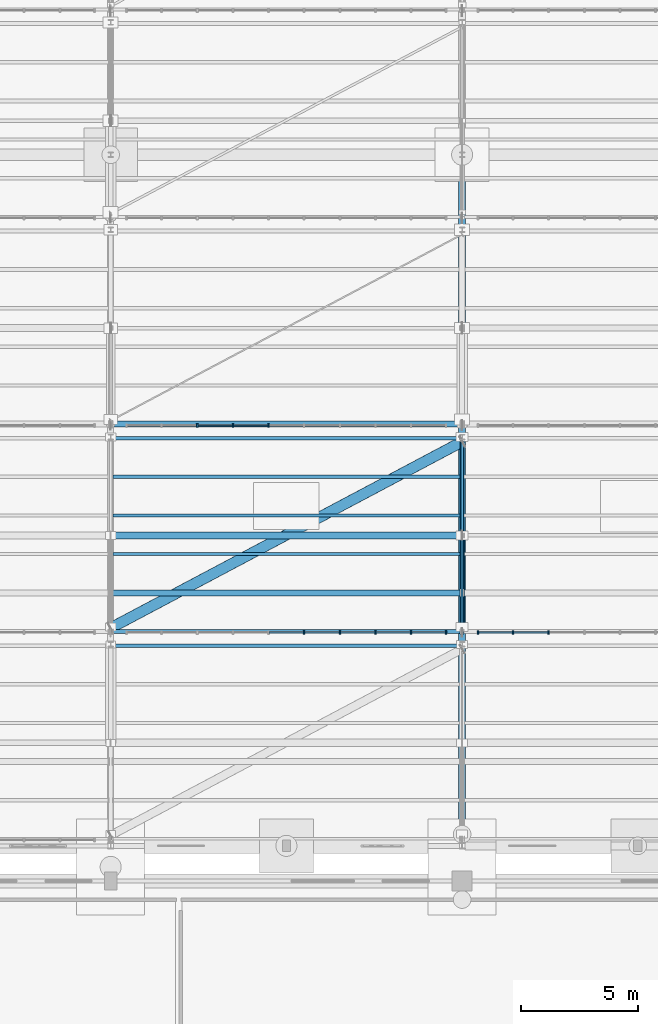
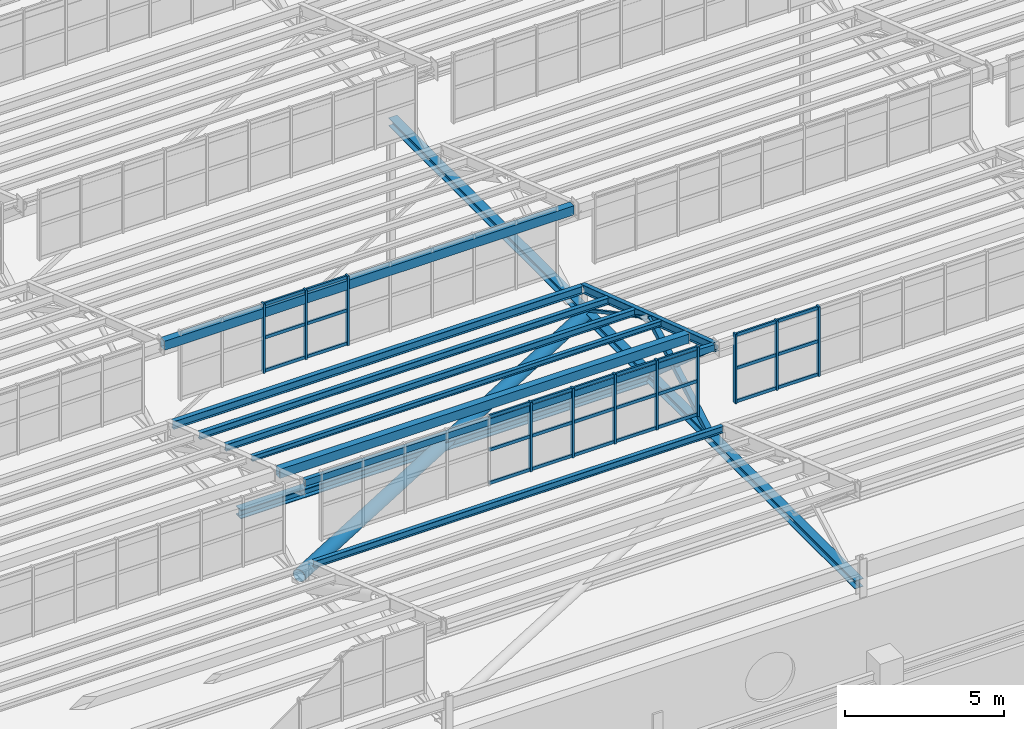
# One storey, part 56 of 285: 43 members, 10 beams, 3 elements without a shape of their own.
"""IFC4 building model written with IfcOpenShell, lengths in metres."""

from ifc_helpers import new_model, si_unit, direction, frame, origin, origin_2d, place, context, subcontext, project, spatial, rectangle, hollow_rectangle, hollow_circle, i_section, extrude, material, material_profile, profile_set, type_object, element, aggregate, save


model = new_model("IFC4")

# Units and contexts
model_context = context("Model", 3, precision=1e-05, world=origin(), true_north=direction((0.0, 1.0)))
body_context = subcontext(model_context, "Body", "Model", "MODEL_VIEW")
ifc_project = project(units=[si_unit("LENGTHUNIT", "METRE"), si_unit("AREAUNIT", "SQUARE_METRE"), si_unit("VOLUMEUNIT", "CUBIC_METRE"), si_unit("PLANEANGLEUNIT", "RADIAN"), si_unit("MASSUNIT", "GRAM", prefix="KILO")], contexts=[model_context])

# Site, building, storey
site_placement = place(None, origin())
site = spatial("IfcSite", under=ifc_project, at=site_placement, CompositionType="ELEMENT")
building_placement = place(site_placement, origin())
building = spatial("IfcBuilding", under=site, at=building_placement, Name="Solanera Park Tramway Depot", CompositionType="ELEMENT")
storey_placement = place(building_placement, origin())
storey = spatial("IfcBuildingStorey", under=building, at=storey_placement, Name="L00", CompositionType="ELEMENT", Elevation=0.0)

# Curtain wall, members
ifc_material_1 = material(Name="Bronze-anodised thermally broken aluminium curtain wall", Category="aluminium")
curtain_wall_type = type_object("IfcCurtainWallType", Name="Sawtooth Clerestory Monitor Curtain Wall", PredefinedType="NOTDEFINED", material=ifc_material_1)
curtain_wall_1_placement = place(storey_placement, origin())
curtain_wall_1 = element("IfcCurtainWall", 1, at=curtain_wall_1_placement, inside=storey, type_object=curtain_wall_type, Name="L00 Sawtooth Clerestory Monitor Curtain Wall #006", PredefinedType="NOTDEFINED")
ifc_material_2 = material(Name="Bronze-anodised structural aluminium 6063-T6", Category="aluminium")
ifc_material_profile_1 = material_profile(ifc_material_2, rectangle(XDim=0.06494140625, YDim=0.14990234375, at=origin_2d()), Name="Curtain Wall Mullion 65x150")
ifc_profile_set_1 = profile_set([ifc_material_profile_1], Name="Bronze-anodised structural aluminium 6063-T6")
member_type_1 = type_object("IfcMemberType", Name="Curtain Wall Mullion 65x150", PredefinedType="MULLION", material=ifc_profile_set_1)
member_1_placement = place(storey_placement, frame((53.260986328125, 64.60009765625, 7.75), z_axis=(0.0, 0.0, 1.0), x_axis=(1.0, 0.0, 0.0)))
member_1 = element("IfcMember", 2, at=member_1_placement, type_object=member_type_1, Name="CW-L00-006 Mullion 6", PredefinedType="MULLION", context=body_context, shape_type="SweptSolid", body=[
    extrude(rectangle(XDim=0.06494140625, YDim=0.14990234375, at=origin_2d()), origin(), (0.0, 0.0, 1.0), 2.6611328125),
])
member_2_placement = place(storey_placement, frame((54.783203125, 64.60009765625, 7.75), z_axis=(0.0, 0.0, 1.0), x_axis=(1.0, 0.0, 0.0)))
member_2 = element("IfcMember", 3, at=member_2_placement, type_object=member_type_1, Name="CW-L00-006 Mullion 7", PredefinedType="MULLION", context=body_context, shape_type="SweptSolid", body=[
    extrude(rectangle(XDim=0.06494140625, YDim=0.14990234375, at=origin_2d()), origin(), (0.0, 0.0, 1.0), 2.6611328125),
])
member_3_placement = place(storey_placement, frame((56.3056640625, 64.60009765625, 7.75), z_axis=(0.0, 0.0, 1.0), x_axis=(1.0, 0.0, 0.0)))
member_3 = element("IfcMember", 4, at=member_3_placement, type_object=member_type_1, Name="CW-L00-006 Mullion 8", PredefinedType="MULLION", context=body_context, shape_type="SweptSolid", body=[
    extrude(rectangle(XDim=0.06494140625, YDim=0.14990234375, at=origin_2d()), origin(), (0.0, 0.0, 1.0), 2.6611328125),
])
member_4_placement = place(storey_placement, frame((57.827880859375, 64.60009765625, 7.75), z_axis=(0.0, 0.0, 1.0), x_axis=(1.0, 0.0, 0.0)))
member_4 = element("IfcMember", 5, at=member_4_placement, type_object=member_type_1, Name="CW-L00-006 Mullion 9", PredefinedType="MULLION", context=body_context, shape_type="SweptSolid", body=[
    extrude(rectangle(XDim=0.06494140625, YDim=0.14990234375, at=origin_2d()), origin(), (0.0, 0.0, 1.0), 2.6611328125),
])
member_5_placement = place(storey_placement, frame((59.3173828125, 64.60009765625, 7.75), z_axis=(0.0, 0.0, 1.0), x_axis=(1.0, 0.0, 0.0)))
member_5 = element("IfcMember", 6, at=member_5_placement, type_object=member_type_1, Name="CW-L00-006 Mullion 10", PredefinedType="MULLION", context=body_context, shape_type="SweptSolid", body=[
    extrude(rectangle(XDim=0.06494140625, YDim=0.14990234375, at=origin_2d()), origin(), (0.0, 0.0, 1.0), 2.6611328125),
])

curtain_wall_2_placement = place(storey_placement, origin())
curtain_wall_2 = element("IfcCurtainWall", 7, at=curtain_wall_2_placement, inside=storey, type_object=curtain_wall_type, Name="L00 Sawtooth Clerestory Monitor Curtain Wall #007", PredefinedType="NOTDEFINED")
member_6_placement = place(storey_placement, frame((60.6826171875, 64.60009765625, 7.75), z_axis=(0.0, 0.0, 1.0), x_axis=(1.0, 0.0, 0.0)))
member_6 = element("IfcMember", 8, at=member_6_placement, type_object=member_type_1, Name="CW-L00-007 Mullion 1", PredefinedType="MULLION", context=body_context, shape_type="SweptSolid", body=[
    extrude(rectangle(XDim=0.06494140625, YDim=0.14990234375, at=origin_2d()), origin(), (0.0, 0.0, 1.0), 2.6611328125),
])
member_7_placement = place(storey_placement, frame((62.172119140625, 64.60009765625, 7.75), z_axis=(0.0, 0.0, 1.0), x_axis=(1.0, 0.0, 0.0)))
member_7 = element("IfcMember", 9, at=member_7_placement, type_object=member_type_1, Name="CW-L00-007 Mullion 2", PredefinedType="MULLION", context=body_context, shape_type="SweptSolid", body=[
    extrude(rectangle(XDim=0.06494140625, YDim=0.14990234375, at=origin_2d()), origin(), (0.0, 0.0, 1.0), 2.6611328125),
])
member_8_placement = place(storey_placement, frame((63.6943359375, 64.60009765625, 7.75), z_axis=(0.0, 0.0, 1.0), x_axis=(1.0, 0.0, 0.0)))
member_8 = element("IfcMember", 10, at=member_8_placement, type_object=member_type_1, Name="CW-L00-007 Mullion 3", PredefinedType="MULLION", context=body_context, shape_type="SweptSolid", body=[
    extrude(rectangle(XDim=0.06494140625, YDim=0.14990234375, at=origin_2d()), origin(), (0.0, 0.0, 1.0), 2.6611328125),
])

curtain_wall_3_placement = place(storey_placement, origin())
curtain_wall_3 = element("IfcCurtainWall", 11, at=curtain_wall_3_placement, inside=storey, type_object=curtain_wall_type, Name="L00 Sawtooth Clerestory Monitor Curtain Wall #014", PredefinedType="NOTDEFINED")
member_9_placement = place(storey_placement, frame((48.6943359375, 73.449951171875, 7.75), z_axis=(0.0, 0.0, 1.0), x_axis=(1.0, 0.0, 0.0)))
member_9 = element("IfcMember", 12, at=member_9_placement, type_object=member_type_1, Name="CW-L00-014 Mullion 3", PredefinedType="MULLION", context=body_context, shape_type="SweptSolid", body=[
    extrude(rectangle(XDim=0.06494140625, YDim=0.14990234375, at=origin_2d()), origin(), (0.0, 0.0, 1.0), 2.6611328125),
])
member_10_placement = place(storey_placement, frame((50.216796875, 73.449951171875, 7.75), z_axis=(0.0, 0.0, 1.0), x_axis=(1.0, 0.0, 0.0)))
member_10 = element("IfcMember", 13, at=member_10_placement, type_object=member_type_1, Name="CW-L00-014 Mullion 4", PredefinedType="MULLION", context=body_context, shape_type="SweptSolid", body=[
    extrude(rectangle(XDim=0.06494140625, YDim=0.14990234375, at=origin_2d()), origin(), (0.0, 0.0, 1.0), 2.6611328125),
])
member_11_placement = place(storey_placement, frame((51.739013671875, 73.449951171875, 7.75), z_axis=(0.0, 0.0, 1.0), x_axis=(1.0, 0.0, 0.0)))
member_11 = element("IfcMember", 14, at=member_11_placement, type_object=member_type_1, Name="CW-L00-014 Mullion 5", PredefinedType="MULLION", context=body_context, shape_type="SweptSolid", body=[
    extrude(rectangle(XDim=0.06494140625, YDim=0.14990234375, at=origin_2d()), origin(), (0.0, 0.0, 1.0), 2.6611328125),
])

# Member
ifc_material_3 = material(Name="Bronze-anodised structural aluminium 6063-T6", Category="aluminium")
ifc_material_profile_2 = material_profile(ifc_material_3, rectangle(XDim=0.06494140625, YDim=0.1201171875, at=origin_2d()), Name="Curtain Wall Transom 65x120")
ifc_profile_set_2 = profile_set([ifc_material_profile_2], Name="Bronze-anodised structural aluminium 6063-T6")
member_type_2 = type_object("IfcMemberType", Name="Curtain Wall Transom 65x120", PredefinedType="USERDEFINED", material=ifc_profile_set_2)
member_12_placement = place(storey_placement, frame((51.766845703125, 64.60009765625, 7.81005859375), z_axis=(1.0, 0.0, 0.0), x_axis=(0.0, 1.0, 0.0)))
member_12 = element("IfcMember", 15, at=member_12_placement, type_object=member_type_2, Name="CW-L00-006 Transom R1.C5", ObjectType="TRANSOM", PredefinedType="USERDEFINED", context=body_context, shape_type="SweptSolid", body=[
    extrude(rectangle(XDim=0.06494140625, YDim=0.1201171875, at=origin_2d()), origin(), (0.0, 0.0, 1.0), 1.46630859375),
])

member_13_placement = place(storey_placement, frame((53.2890625, 64.60009765625, 7.81005859375), z_axis=(1.0, 0.0, 0.0), x_axis=(0.0, 1.0, 0.0)))
member_13 = element("IfcMember", 16, at=member_13_placement, type_object=member_type_2, Name="CW-L00-006 Transom R1.C6", ObjectType="TRANSOM", PredefinedType="USERDEFINED", context=body_context, shape_type="SweptSolid", body=[
    extrude(rectangle(XDim=0.06494140625, YDim=0.1201171875, at=origin_2d()), origin(), (0.0, 0.0, 1.0), 1.46630859375),
])

member_14_placement = place(storey_placement, frame((54.811279296875, 64.60009765625, 7.81005859375), z_axis=(1.0, 0.0, 0.0), x_axis=(0.0, 1.0, 0.0)))
member_14 = element("IfcMember", 17, at=member_14_placement, type_object=member_type_2, Name="CW-L00-006 Transom R1.C7", ObjectType="TRANSOM", PredefinedType="USERDEFINED", context=body_context, shape_type="SweptSolid", body=[
    extrude(rectangle(XDim=0.06494140625, YDim=0.1201171875, at=origin_2d()), origin(), (0.0, 0.0, 1.0), 1.46630859375),
])

member_15_placement = place(storey_placement, frame((56.33349609375, 64.60009765625, 7.81005859375), z_axis=(1.0, 0.0, 0.0), x_axis=(0.0, 1.0, 0.0)))
member_15 = element("IfcMember", 18, at=member_15_placement, type_object=member_type_2, Name="CW-L00-006 Transom R1.C8", ObjectType="TRANSOM", PredefinedType="USERDEFINED", context=body_context, shape_type="SweptSolid", body=[
    extrude(rectangle(XDim=0.06494140625, YDim=0.1201171875, at=origin_2d()), origin(), (0.0, 0.0, 1.0), 1.46630859375),
])

member_16_placement = place(storey_placement, frame((57.855712890625, 64.60009765625, 7.81005859375), z_axis=(1.0, 0.0, 0.0), x_axis=(0.0, 1.0, 0.0)))
member_16 = element("IfcMember", 19, at=member_16_placement, type_object=member_type_2, Name="CW-L00-006 Transom R1.C9", ObjectType="TRANSOM", PredefinedType="USERDEFINED", context=body_context, shape_type="SweptSolid", body=[
    extrude(rectangle(XDim=0.06494140625, YDim=0.1201171875, at=origin_2d()), origin(), (0.0, 0.0, 1.0), 1.433837890625),
])

member_17_placement = place(storey_placement, frame((51.766845703125, 64.60009765625, 9.08056640625), z_axis=(1.0, 0.0, 0.0), x_axis=(0.0, 1.0, 0.0)))
member_17 = element("IfcMember", 20, at=member_17_placement, type_object=member_type_2, Name="CW-L00-006 Transom R2.C5", ObjectType="TRANSOM", PredefinedType="USERDEFINED", context=body_context, shape_type="SweptSolid", body=[
    extrude(rectangle(XDim=0.06494140625, YDim=0.1201171875, at=origin_2d()), origin(), (0.0, 0.0, 1.0), 1.46630859375),
])

member_18_placement = place(storey_placement, frame((53.2890625, 64.60009765625, 9.08056640625), z_axis=(1.0, 0.0, 0.0), x_axis=(0.0, 1.0, 0.0)))
member_18 = element("IfcMember", 21, at=member_18_placement, type_object=member_type_2, Name="CW-L00-006 Transom R2.C6", ObjectType="TRANSOM", PredefinedType="USERDEFINED", context=body_context, shape_type="SweptSolid", body=[
    extrude(rectangle(XDim=0.06494140625, YDim=0.1201171875, at=origin_2d()), origin(), (0.0, 0.0, 1.0), 1.46630859375),
])

member_19_placement = place(storey_placement, frame((54.811279296875, 64.60009765625, 9.08056640625), z_axis=(1.0, 0.0, 0.0), x_axis=(0.0, 1.0, 0.0)))
member_19 = element("IfcMember", 22, at=member_19_placement, type_object=member_type_2, Name="CW-L00-006 Transom R2.C7", ObjectType="TRANSOM", PredefinedType="USERDEFINED", context=body_context, shape_type="SweptSolid", body=[
    extrude(rectangle(XDim=0.06494140625, YDim=0.1201171875, at=origin_2d()), origin(), (0.0, 0.0, 1.0), 1.46630859375),
])

member_20_placement = place(storey_placement, frame((56.33349609375, 64.60009765625, 9.08056640625), z_axis=(1.0, 0.0, 0.0), x_axis=(0.0, 1.0, 0.0)))
member_20 = element("IfcMember", 23, at=member_20_placement, type_object=member_type_2, Name="CW-L00-006 Transom R2.C8", ObjectType="TRANSOM", PredefinedType="USERDEFINED", context=body_context, shape_type="SweptSolid", body=[
    extrude(rectangle(XDim=0.06494140625, YDim=0.1201171875, at=origin_2d()), origin(), (0.0, 0.0, 1.0), 1.46630859375),
])

member_21_placement = place(storey_placement, frame((57.855712890625, 64.60009765625, 9.08056640625), z_axis=(1.0, 0.0, 0.0), x_axis=(0.0, 1.0, 0.0)))
member_21 = element("IfcMember", 24, at=member_21_placement, type_object=member_type_2, Name="CW-L00-006 Transom R2.C9", ObjectType="TRANSOM", PredefinedType="USERDEFINED", context=body_context, shape_type="SweptSolid", body=[
    extrude(rectangle(XDim=0.06494140625, YDim=0.1201171875, at=origin_2d()), origin(), (0.0, 0.0, 1.0), 1.433837890625),
])

member_22_placement = place(storey_placement, frame((51.766845703125, 64.60009765625, 10.351318359375), z_axis=(1.0, 0.0, 0.0), x_axis=(0.0, 1.0, 0.0)))
member_22 = element("IfcMember", 25, at=member_22_placement, type_object=member_type_2, Name="CW-L00-006 Transom R3.C5", ObjectType="TRANSOM", PredefinedType="USERDEFINED", context=body_context, shape_type="SweptSolid", body=[
    extrude(rectangle(XDim=0.06494140625, YDim=0.1201171875, at=origin_2d()), origin(), (0.0, 0.0, 1.0), 1.46630859375),
])

member_23_placement = place(storey_placement, frame((53.2890625, 64.60009765625, 10.351318359375), z_axis=(1.0, 0.0, 0.0), x_axis=(0.0, 1.0, 0.0)))
member_23 = element("IfcMember", 26, at=member_23_placement, type_object=member_type_2, Name="CW-L00-006 Transom R3.C6", ObjectType="TRANSOM", PredefinedType="USERDEFINED", context=body_context, shape_type="SweptSolid", body=[
    extrude(rectangle(XDim=0.06494140625, YDim=0.1201171875, at=origin_2d()), origin(), (0.0, 0.0, 1.0), 1.46630859375),
])

member_24_placement = place(storey_placement, frame((54.811279296875, 64.60009765625, 10.351318359375), z_axis=(1.0, 0.0, 0.0), x_axis=(0.0, 1.0, 0.0)))
member_24 = element("IfcMember", 27, at=member_24_placement, type_object=member_type_2, Name="CW-L00-006 Transom R3.C7", ObjectType="TRANSOM", PredefinedType="USERDEFINED", context=body_context, shape_type="SweptSolid", body=[
    extrude(rectangle(XDim=0.06494140625, YDim=0.1201171875, at=origin_2d()), origin(), (0.0, 0.0, 1.0), 1.46630859375),
])

member_25_placement = place(storey_placement, frame((56.33349609375, 64.60009765625, 10.351318359375), z_axis=(1.0, 0.0, 0.0), x_axis=(0.0, 1.0, 0.0)))
member_25 = element("IfcMember", 28, at=member_25_placement, type_object=member_type_2, Name="CW-L00-006 Transom R3.C8", ObjectType="TRANSOM", PredefinedType="USERDEFINED", context=body_context, shape_type="SweptSolid", body=[
    extrude(rectangle(XDim=0.06494140625, YDim=0.1201171875, at=origin_2d()), origin(), (0.0, 0.0, 1.0), 1.46630859375),
])

member_26_placement = place(storey_placement, frame((57.855712890625, 64.60009765625, 10.351318359375), z_axis=(1.0, 0.0, 0.0), x_axis=(0.0, 1.0, 0.0)))
member_26 = element("IfcMember", 29, at=member_26_placement, type_object=member_type_2, Name="CW-L00-006 Transom R3.C9", ObjectType="TRANSOM", PredefinedType="USERDEFINED", context=body_context, shape_type="SweptSolid", body=[
    extrude(rectangle(XDim=0.06494140625, YDim=0.1201171875, at=origin_2d()), origin(), (0.0, 0.0, 1.0), 1.433837890625),
])

aggregate(curtain_wall_1, [member_1, member_2, member_3, member_4, member_5, member_12, member_13, member_14, member_15, member_16, member_17, member_18, member_19, member_20, member_21, member_22, member_23, member_24, member_25, member_26])

member_27_placement = place(storey_placement, frame((60.71044921875, 64.60009765625, 7.81005859375), z_axis=(1.0, 0.0, 0.0), x_axis=(0.0, 1.0, 0.0)))
member_27 = element("IfcMember", 30, at=member_27_placement, type_object=member_type_2, Name="CW-L00-007 Transom R1.C1", ObjectType="TRANSOM", PredefinedType="USERDEFINED", context=body_context, shape_type="SweptSolid", body=[
    extrude(rectangle(XDim=0.06494140625, YDim=0.1201171875, at=origin_2d()), origin(), (0.0, 0.0, 1.0), 1.433837890625),
])

member_28_placement = place(storey_placement, frame((62.2001953125, 64.60009765625, 7.81005859375), z_axis=(1.0, 0.0, 0.0), x_axis=(0.0, 1.0, 0.0)))
member_28 = element("IfcMember", 31, at=member_28_placement, type_object=member_type_2, Name="CW-L00-007 Transom R1.C2", ObjectType="TRANSOM", PredefinedType="USERDEFINED", context=body_context, shape_type="SweptSolid", body=[
    extrude(rectangle(XDim=0.06494140625, YDim=0.1201171875, at=origin_2d()), origin(), (0.0, 0.0, 1.0), 1.46630859375),
])

member_29_placement = place(storey_placement, frame((60.71044921875, 64.60009765625, 9.08056640625), z_axis=(1.0, 0.0, 0.0), x_axis=(0.0, 1.0, 0.0)))
member_29 = element("IfcMember", 32, at=member_29_placement, type_object=member_type_2, Name="CW-L00-007 Transom R2.C1", ObjectType="TRANSOM", PredefinedType="USERDEFINED", context=body_context, shape_type="SweptSolid", body=[
    extrude(rectangle(XDim=0.06494140625, YDim=0.1201171875, at=origin_2d()), origin(), (0.0, 0.0, 1.0), 1.433837890625),
])

member_30_placement = place(storey_placement, frame((62.2001953125, 64.60009765625, 9.08056640625), z_axis=(1.0, 0.0, 0.0), x_axis=(0.0, 1.0, 0.0)))
member_30 = element("IfcMember", 33, at=member_30_placement, type_object=member_type_2, Name="CW-L00-007 Transom R2.C2", ObjectType="TRANSOM", PredefinedType="USERDEFINED", context=body_context, shape_type="SweptSolid", body=[
    extrude(rectangle(XDim=0.06494140625, YDim=0.1201171875, at=origin_2d()), origin(), (0.0, 0.0, 1.0), 1.46630859375),
])

member_31_placement = place(storey_placement, frame((60.71044921875, 64.60009765625, 10.351318359375), z_axis=(1.0, 0.0, 0.0), x_axis=(0.0, 1.0, 0.0)))
member_31 = element("IfcMember", 34, at=member_31_placement, type_object=member_type_2, Name="CW-L00-007 Transom R3.C1", ObjectType="TRANSOM", PredefinedType="USERDEFINED", context=body_context, shape_type="SweptSolid", body=[
    extrude(rectangle(XDim=0.06494140625, YDim=0.1201171875, at=origin_2d()), origin(), (0.0, 0.0, 1.0), 1.433837890625),
])

member_32_placement = place(storey_placement, frame((62.2001953125, 64.60009765625, 10.351318359375), z_axis=(1.0, 0.0, 0.0), x_axis=(0.0, 1.0, 0.0)))
member_32 = element("IfcMember", 35, at=member_32_placement, type_object=member_type_2, Name="CW-L00-007 Transom R3.C2", ObjectType="TRANSOM", PredefinedType="USERDEFINED", context=body_context, shape_type="SweptSolid", body=[
    extrude(rectangle(XDim=0.06494140625, YDim=0.1201171875, at=origin_2d()), origin(), (0.0, 0.0, 1.0), 1.46630859375),
])

aggregate(curtain_wall_2, [member_6, member_7, member_8, member_27, member_28, member_29, member_30, member_31, member_32])

member_33_placement = place(storey_placement, frame((48.722412109375, 73.449951171875, 7.81005859375), z_axis=(1.0, 0.0, 0.0), x_axis=(0.0, 1.0, 0.0)))
member_33 = element("IfcMember", 36, at=member_33_placement, type_object=member_type_2, Name="CW-L00-014 Transom R1.C3", ObjectType="TRANSOM", PredefinedType="USERDEFINED", context=body_context, shape_type="SweptSolid", body=[
    extrude(rectangle(XDim=0.06494140625, YDim=0.1201171875, at=origin_2d()), origin(), (0.0, 0.0, 1.0), 1.46630859375),
])

member_34_placement = place(storey_placement, frame((50.24462890625, 73.449951171875, 7.81005859375), z_axis=(1.0, 0.0, 0.0), x_axis=(0.0, 1.0, 0.0)))
member_34 = element("IfcMember", 37, at=member_34_placement, type_object=member_type_2, Name="CW-L00-014 Transom R1.C4", ObjectType="TRANSOM", PredefinedType="USERDEFINED", context=body_context, shape_type="SweptSolid", body=[
    extrude(rectangle(XDim=0.06494140625, YDim=0.1201171875, at=origin_2d()), origin(), (0.0, 0.0, 1.0), 1.46630859375),
])

member_35_placement = place(storey_placement, frame((48.722412109375, 73.449951171875, 9.08056640625), z_axis=(1.0, 0.0, 0.0), x_axis=(0.0, 1.0, 0.0)))
member_35 = element("IfcMember", 38, at=member_35_placement, type_object=member_type_2, Name="CW-L00-014 Transom R2.C3", ObjectType="TRANSOM", PredefinedType="USERDEFINED", context=body_context, shape_type="SweptSolid", body=[
    extrude(rectangle(XDim=0.06494140625, YDim=0.1201171875, at=origin_2d()), origin(), (0.0, 0.0, 1.0), 1.46630859375),
])

member_36_placement = place(storey_placement, frame((50.24462890625, 73.449951171875, 9.08056640625), z_axis=(1.0, 0.0, 0.0), x_axis=(0.0, 1.0, 0.0)))
member_36 = element("IfcMember", 39, at=member_36_placement, type_object=member_type_2, Name="CW-L00-014 Transom R2.C4", ObjectType="TRANSOM", PredefinedType="USERDEFINED", context=body_context, shape_type="SweptSolid", body=[
    extrude(rectangle(XDim=0.06494140625, YDim=0.1201171875, at=origin_2d()), origin(), (0.0, 0.0, 1.0), 1.46630859375),
])

member_37_placement = place(storey_placement, frame((48.722412109375, 73.449951171875, 10.351318359375), z_axis=(1.0, 0.0, 0.0), x_axis=(0.0, 1.0, 0.0)))
member_37 = element("IfcMember", 40, at=member_37_placement, type_object=member_type_2, Name="CW-L00-014 Transom R3.C3", ObjectType="TRANSOM", PredefinedType="USERDEFINED", context=body_context, shape_type="SweptSolid", body=[
    extrude(rectangle(XDim=0.06494140625, YDim=0.1201171875, at=origin_2d()), origin(), (0.0, 0.0, 1.0), 1.46630859375),
])

member_38_placement = place(storey_placement, frame((50.24462890625, 73.449951171875, 10.351318359375), z_axis=(1.0, 0.0, 0.0), x_axis=(0.0, 1.0, 0.0)))
member_38 = element("IfcMember", 41, at=member_38_placement, type_object=member_type_2, Name="CW-L00-014 Transom R3.C4", ObjectType="TRANSOM", PredefinedType="USERDEFINED", context=body_context, shape_type="SweptSolid", body=[
    extrude(rectangle(XDim=0.06494140625, YDim=0.1201171875, at=origin_2d()), origin(), (0.0, 0.0, 1.0), 1.46630859375),
])

aggregate(curtain_wall_3, [member_9, member_10, member_11, member_33, member_34, member_35, member_36, member_37, member_38])

# Members
ifc_material_4 = material(Name="Steel AS/NZS 1163 Grade C350L0", Category="steel")
ifc_material_profile_3 = material_profile(ifc_material_4, hollow_rectangle(XDim=0.199951171875, YDim=0.199951171875, WallThickness=0.008056640625, at=origin_2d()), Name="200x200x8.0 SHS")
ifc_profile_set_3 = profile_set([ifc_material_profile_3], Name="Steel AS/NZS 1163 Grade C350L0")
member_type_3 = type_object("IfcMemberType", Name="Roof Gantry Compression Strut 200x200x8.0 SHS", PredefinedType="STRUT", material=ifc_profile_set_3)
member_39_placement = place(storey_placement, frame((60.0, 64.85009765625, 6.5), z_axis=(0.0, 0.866884023838, 0.498509868723), x_axis=(-1.0, 0.0, 0.0)))
element("IfcMember", 42, at=member_39_placement, inside=storey, type_object=member_type_3, Name="Sawtooth ROOF TRUSS Strut 200x200x8.0 SHS #0057", PredefinedType="STRUT", context=body_context, shape_type="SweptSolid", body=[
    extrude(hollow_rectangle(XDim=0.199951171875, YDim=0.199951171875, WallThickness=0.008056640625, at=origin_2d()), origin(), (0.0, 0.0, 1.0), 4.498779296875),
])
ifc_material_5 = material(Name="Steel AS/NZS 3679.1 Grade 350", Category="steel")
ifc_material_profile_4 = material_profile(ifc_material_5, i_section(OverallWidth=0.310546875, OverallDepth=0.3271484375, WebThickness=0.015625, FlangeThickness=0.02490234375, at=origin_2d()), Name="310UC158")
ifc_profile_set_4 = profile_set([ifc_material_profile_4], Name="Steel AS/NZS 3679.1 Grade 350")
member_type_4 = type_object("IfcMemberType", Name="Secondary Truss Chord 310UC158", PredefinedType="CHORD", material=ifc_profile_set_4)
member_40_placement = place(storey_placement, frame((45.087890625, 68.75, 6.5), z_axis=(1.0, 0.0, 0.0), x_axis=(0.0, 1.0, 0.0)))
element("IfcMember", 43, at=member_40_placement, inside=storey, type_object=member_type_4, Name="Sawtooth Longitudinal Tie Chord 310UC158 #0076", PredefinedType="CHORD", context=body_context, shape_type="SweptSolid", body=[
    extrude(i_section(OverallWidth=0.310546875, OverallDepth=0.3271484375, WebThickness=0.015625, FlangeThickness=0.02490234375, at=origin_2d()), origin(), (0.0, 0.0, 1.0), 14.82421875),
])

# Beams
ifc_material_6 = material(Name="Steel AS/NZS 3679.1 Grade 350", Category="steel")
ifc_material_profile_5 = material_profile(ifc_material_6, i_section(OverallWidth=0.166015625, OverallDepth=0.30712890625, WebThickness=0.006591796875, FlangeThickness=0.01171875, at=origin_2d()), Name="310UB46.2")
ifc_profile_set_5 = profile_set([ifc_material_profile_5], Name="Steel AS/NZS 3679.1 Grade 350")
beam_type_1 = type_object("IfcBeamType", Name="Steel Beam 310UB46.2", PredefinedType="BEAM", material=ifc_profile_set_5)
beam_1_placement = place(storey_placement, frame((60.0, 64.60009765625, 10.131103515625), z_axis=(0.0, 0.948327781215, -0.317292324799), x_axis=(-1.0, 0.0, 0.0)))
element("IfcBeam", 44, at=beam_1_placement, inside=storey, type_object=beam_type_1, Name="Sawtooth ROOF TRUSS Top Rafter 310UB46.2 B02-T4", PredefinedType="BEAM", context=body_context, shape_type="SweptSolid", body=[
    extrude(i_section(OverallWidth=0.166015625, OverallDepth=0.30712890625, WebThickness=0.006591796875, FlangeThickness=0.01171875, at=origin_2d()), origin(), (0.0, 0.0, 1.0), 8.804931640625),
])
ifc_material_7 = material(Name="Steel AS/NZS 3679.1 Grade 350", Category="steel")
ifc_material_profile_6 = material_profile(ifc_material_7, i_section(OverallWidth=0.306884765625, OverallDepth=0.314697265625, WebThickness=0.011962890625, FlangeThickness=0.018798828125, at=origin_2d()), Name="310UC118")
ifc_profile_set_6 = profile_set([ifc_material_profile_6], Name="Steel AS/NZS 3679.1 Grade 350")
beam_type_2 = type_object("IfcBeamType", Name="Steel Beam 310UC118", PredefinedType="BEAM", material=ifc_profile_set_6)
beam_2_placement = place(storey_placement, frame((60.0, 55.6279296875, 6.5), z_axis=(0.0, 1.0, 0.0), x_axis=(-1.0, 0.0, 0.0)))
element("IfcBeam", 45, at=beam_2_placement, inside=storey, type_object=beam_type_2, Name="Sawtooth ROOF TRUSS Bottom Chord 310UC118 #0379", PredefinedType="BEAM", context=body_context, shape_type="SweptSolid", body=[
    extrude(i_section(OverallWidth=0.306884765625, OverallDepth=0.314697265625, WebThickness=0.011962890625, FlangeThickness=0.018798828125, at=origin_2d()), origin(), (0.0, 0.0, 1.0), 29.26953125),
])
ifc_material_8 = material(Name="Steel AS/NZS 3679.1 Grade 350", Category="steel")
ifc_material_profile_7 = material_profile(ifc_material_8, i_section(OverallWidth=0.13330078125, OverallDepth=0.203125, WebThickness=0.005859375, FlangeThickness=0.0078125, at=origin_2d()), Name="200UB25.4")
ifc_profile_set_7 = profile_set([ifc_material_profile_7], Name="Steel AS/NZS 3679.1 Grade 350")
beam_type_3 = type_object("IfcBeamType", Name="Steel Joist Purlin 200UB25.4", PredefinedType="JOIST", material=ifc_profile_set_7)
beam_3_placement = place(storey_placement, frame((45.0966796875, 67.949951171875, 9.06201171875), z_axis=(1.0, 0.0, 0.0), x_axis=(0.0, 1.0, 0.0)))
element("IfcBeam", 46, at=beam_3_placement, inside=storey, type_object=beam_type_3, Name="Sawtooth Roof Purlin 200UB25.4 B02.3", PredefinedType="JOIST", context=body_context, shape_type="SweptSolid", body=[
    extrude(i_section(OverallWidth=0.13330078125, OverallDepth=0.203125, WebThickness=0.005859375, FlangeThickness=0.0078125, at=origin_2d()), origin(), (0.0, 0.0, 1.0), 14.828369140625),
])
ifc_material_9 = material(Name="Steel AS/NZS 3679.1 Grade 350", Category="steel")
ifc_material_profile_8 = material_profile(ifc_material_9, i_section(OverallWidth=0.14599609375, OverallDepth=0.251708984375, WebThickness=0.006103515625, FlangeThickness=0.008544921875, at=origin_2d()), Name="250UB31.4")
ifc_profile_set_8 = profile_set([ifc_material_profile_8], Name="Steel AS/NZS 3679.1 Grade 350")
beam_type_4 = type_object("IfcBeamType", Name="Steel Joist Purlin 250UB31.4", PredefinedType="JOIST", material=ifc_profile_set_8)
beam_4_placement = place(storey_placement, frame((45.0966796875, 69.60009765625, 8.483642578125), z_axis=(1.0, 0.0, 0.0), x_axis=(0.0, 1.0, 0.0)))
element("IfcBeam", 47, at=beam_4_placement, inside=storey, type_object=beam_type_4, Name="Sawtooth Roof Purlin 250UB31.4 B02.4", PredefinedType="JOIST", context=body_context, shape_type="SweptSolid", body=[
    extrude(i_section(OverallWidth=0.14599609375, OverallDepth=0.251708984375, WebThickness=0.006103515625, FlangeThickness=0.008544921875, at=origin_2d()), origin(), (0.0, 0.0, 1.0), 14.828369140625),
])
ifc_material_10 = material(Name="Steel AS/NZS 3679.1 Grade 350", Category="steel")
ifc_material_profile_9 = material_profile(ifc_material_10, i_section(OverallWidth=0.146484375, OverallDepth=0.256103515625, WebThickness=0.00634765625, FlangeThickness=0.010986328125, at=origin_2d()), Name="250UB37.3")
ifc_profile_set_9 = profile_set([ifc_material_profile_9], Name="Steel AS/NZS 3679.1 Grade 350")
beam_type_5 = type_object("IfcBeamType", Name="Steel Joist Purlin 250UB37.3", PredefinedType="JOIST", material=ifc_profile_set_9)
beam_5_placement = place(storey_placement, frame((45.087158203125, 64.050048828125, 7.377197265625), z_axis=(1.0, 0.0, 0.0), x_axis=(0.0, 1.0, 0.0)))
element("IfcBeam", 48, at=beam_5_placement, inside=storey, type_object=beam_type_5, Name="Sawtooth Roof Purlin 250UB37.3 B01.6", PredefinedType="JOIST", context=body_context, shape_type="SweptSolid", body=[
    extrude(i_section(OverallWidth=0.146484375, OverallDepth=0.256103515625, WebThickness=0.00634765625, FlangeThickness=0.010986328125, at=origin_2d()), origin(), (0.0, 0.0, 1.0), 14.816162109375),
])
beam_6_placement = place(storey_placement, frame((45.0966796875, 71.25, 7.92919921875), z_axis=(1.0, 0.0, 0.0), x_axis=(0.0, 1.0, 0.0)))
element("IfcBeam", 49, at=beam_6_placement, inside=storey, type_object=beam_type_5, Name="Sawtooth Roof Purlin 250UB37.3 B02.5", PredefinedType="JOIST", context=body_context, shape_type="SweptSolid", body=[
    extrude(i_section(OverallWidth=0.146484375, OverallDepth=0.256103515625, WebThickness=0.00634765625, FlangeThickness=0.010986328125, at=origin_2d()), origin(), (0.0, 0.0, 1.0), 14.828369140625),
])
ifc_material_11 = material(Name="Steel AS/NZS 1163 Grade C350L0", Category="steel")
ifc_material_profile_10 = material_profile(ifc_material_11, hollow_rectangle(XDim=0.14990234375, YDim=0.25, WallThickness=0.008056640625, at=origin_2d()), Name="250x150x8.0 RHS")
ifc_profile_set_10 = profile_set([ifc_material_profile_10], Name="Steel AS/NZS 1163 Grade C350L0")
beam_type_6 = type_object("IfcBeamType", Name="Steel Joist Purlin 250x150x8.0 RHS", PredefinedType="JOIST", material=ifc_profile_set_10)
beam_7_placement = place(storey_placement, frame((45.0966796875, 64.64990234375, 10.139892578125), z_axis=(1.0, 0.0, 0.0), x_axis=(0.0, 1.0, 0.0)))
element("IfcBeam", 50, at=beam_7_placement, inside=storey, type_object=beam_type_6, Name="Sawtooth Roof Purlin 250x150x8.0 RHS B02.1", PredefinedType="JOIST", context=body_context, shape_type="SweptSolid", body=[
    extrude(hollow_rectangle(XDim=0.14990234375, YDim=0.25, WallThickness=0.008056640625, at=origin_2d()), origin(), (0.0, 0.0, 1.0), 14.828369140625),
])
ifc_material_12 = material(Name="Steel AS/NZS 3679.1 Grade 350", Category="steel")
ifc_material_profile_11 = material_profile(ifc_material_12, i_section(OverallWidth=0.1650390625, OverallDepth=0.3037109375, WebThickness=0.006103515625, FlangeThickness=0.01025390625, at=origin_2d()), Name="310UB40.4")
ifc_profile_set_11 = profile_set([ifc_material_profile_11], Name="Steel AS/NZS 3679.1 Grade 350")
beam_type_7 = type_object("IfcBeamType", Name="Steel Joist Purlin 310UB40.4", PredefinedType="JOIST", material=ifc_profile_set_11)
beam_8_placement = place(storey_placement, frame((45.0966796875, 72.89990234375, 7.35009765625), z_axis=(1.0, 0.0, 0.0), x_axis=(0.0, 1.0, 0.0)))
element("IfcBeam", 51, at=beam_8_placement, inside=storey, type_object=beam_type_7, Name="Sawtooth Roof Purlin 310UB40.4 B02.6", PredefinedType="JOIST", context=body_context, shape_type="SweptSolid", body=[
    extrude(i_section(OverallWidth=0.1650390625, OverallDepth=0.3037109375, WebThickness=0.006103515625, FlangeThickness=0.01025390625, at=origin_2d()), origin(), (0.0, 0.0, 1.0), 14.828369140625),
])
ifc_material_13 = material(Name="Steel AS/NZS 1163 Grade C350L0", Category="steel")
ifc_material_profile_12 = material_profile(ifc_material_13, hollow_rectangle(XDim=0.25, YDim=0.35009765625, WallThickness=0.010009765625, at=origin_2d()), Name="350x250x10.0 RHS")
ifc_profile_set_12 = profile_set([ifc_material_profile_12], Name="Steel AS/NZS 1163 Grade C350L0")
beam_type_8 = type_object("IfcBeamType", Name="Steel Joist Purlin 350x250x10.0 RHS", PredefinedType="JOIST", material=ifc_profile_set_12)
beam_9_placement = place(storey_placement, frame((45.0966796875, 66.300048828125, 9.521240234375), z_axis=(1.0, 0.0, 0.0), x_axis=(0.0, 1.0, 0.0)))
element("IfcBeam", 52, at=beam_9_placement, inside=storey, type_object=beam_type_8, Name="Sawtooth Roof Purlin 350x250x10.0 RHS B02.2", PredefinedType="JOIST", context=body_context, shape_type="SweptSolid", body=[
    extrude(hollow_rectangle(XDim=0.25, YDim=0.35009765625, WallThickness=0.010009765625, at=origin_2d()), origin(), (0.0, 0.0, 1.0), 14.828369140625),
])
beam_10_placement = place(storey_placement, frame((45.077880859375, 73.5, 10.0732421875), z_axis=(1.0, 0.0, 0.0), x_axis=(0.0, 1.0, 0.0)))
element("IfcBeam", 53, at=beam_10_placement, inside=storey, type_object=beam_type_8, Name="Sawtooth Roof Purlin 350x250x10.0 RHS B03.1", PredefinedType="JOIST", context=body_context, shape_type="SweptSolid", body=[
    extrude(hollow_rectangle(XDim=0.25, YDim=0.35009765625, WallThickness=0.010009765625, at=origin_2d()), origin(), (0.0, 0.0, 1.0), 14.84130859375),
])

# Members
ifc_material_14 = material(Name="Steel AS/NZS 1163 Grade C350L0", Category="steel")
ifc_material_profile_13 = material_profile(ifc_material_14, hollow_rectangle(XDim=0.10009765625, YDim=0.10009765625, WallThickness=0.0048828125, at=origin_2d()), Name="100x100x5.0 SHS")
ifc_profile_set_13 = profile_set([ifc_material_profile_13], Name="Steel AS/NZS 1163 Grade C350L0")
member_type_5 = type_object("IfcMemberType", Name="Truss and Frame Brace 100x100x5.0 SHS", PredefinedType="BRACE", material=ifc_profile_set_13)
member_41_placement = place(storey_placement, frame((60.0, 72.949951171875, 6.5), z_axis=(0.0, -0.882117205046, 0.471029974165), x_axis=(1.0, 0.0, 0.0)))
element("IfcMember", 54, at=member_41_placement, inside=storey, type_object=member_type_5, Name="Sawtooth ROOF TRUSS Diagonal 100x100x5.0 SHS #0056", PredefinedType="BRACE", context=body_context, shape_type="SweptSolid", body=[
    extrude(hollow_rectangle(XDim=0.10009765625, YDim=0.10009765625, WallThickness=0.0048828125, at=origin_2d()), origin(), (0.0, 0.0, 1.0), 4.76123046875),
])
ifc_material_15 = material(Name="Steel AS/NZS 1163 Grade C350L0", Category="steel")
ifc_material_profile_14 = material_profile(ifc_material_15, hollow_circle(Radius=0.084228515625, WallThickness=0.00634765625, at=origin_2d()), Name="168.3x6.4 CHS")
ifc_profile_set_14 = profile_set([ifc_material_profile_14], Name="Steel AS/NZS 1163 Grade C350L0")
member_type_6 = type_object("IfcMemberType", Name="Truss and Frame Brace 168.3x6.4 CHS", PredefinedType="BRACE", material=ifc_profile_set_14)
member_42_placement = place(storey_placement, frame((60.0, 68.75, 6.5), z_axis=(0.0, -0.752582180048, 0.658498338855), x_axis=(1.0, 0.0, 0.0)))
element("IfcMember", 55, at=member_42_placement, inside=storey, type_object=member_type_6, Name="Sawtooth ROOF TRUSS Web Brace 168.3x6.4 CHS #0055", PredefinedType="BRACE", context=body_context, shape_type="SweptSolid", body=[
    extrude(hollow_circle(Radius=0.084228515625, WallThickness=0.00634765625, at=origin_2d()), origin(), (0.0, 0.0, 1.0), 5.51416015625),
])
ifc_material_16 = material(Name="Steel AS/NZS 1163 Grade C350L0", Category="steel")
ifc_material_profile_15 = material_profile(ifc_material_16, hollow_circle(Radius=0.228515625, WallThickness=0.0126953125, at=origin_2d()), Name="457.0x12.7 CHS")
ifc_profile_set_15 = profile_set([ifc_material_profile_15], Name="Steel AS/NZS 1163 Grade C350L0")
member_type_7 = type_object("IfcMemberType", Name="Truss and Frame Brace 457.0x12.7 CHS", PredefinedType="BRACE", material=ifc_profile_set_15)
member_43_placement = place(storey_placement, frame((45.001953125, 64.800048828125, 6.5), z_axis=(0.883523615038, 0.468386615598, 0.0), x_axis=(-0.468386615598, 0.883523615038, 0.0)))
element("IfcMember", 56, at=member_43_placement, inside=storey, type_object=member_type_7, Name="Roof Plane Cyclonic Brace 457.0x12.7 CHS #0077", PredefinedType="BRACE", context=body_context, shape_type="SweptSolid", body=[
    extrude(hollow_circle(Radius=0.228515625, WallThickness=0.0126953125, at=origin_2d()), origin(), (0.0, 0.0, 1.0), 16.97314453125),
])

save(model, "model.ifc")
